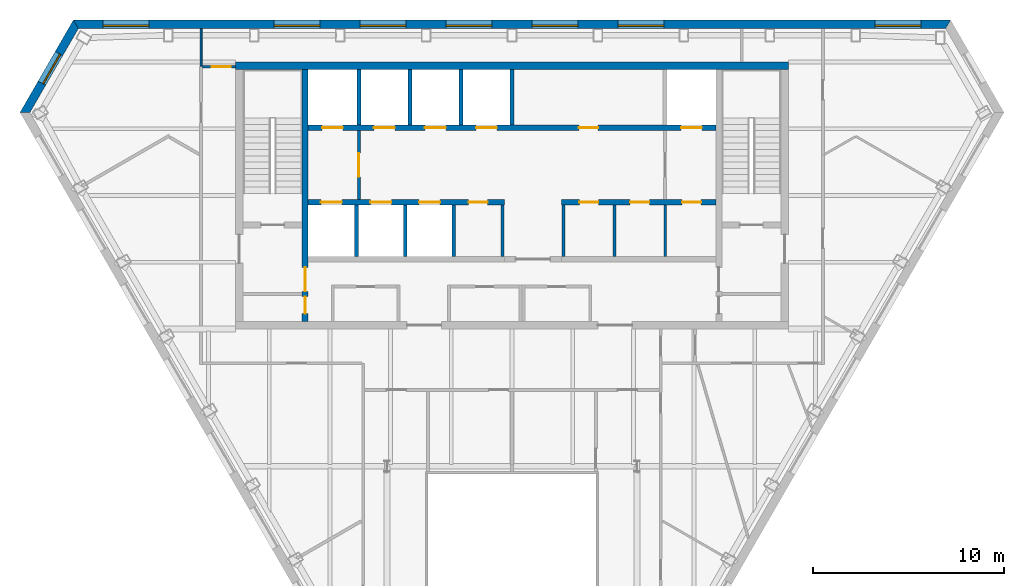
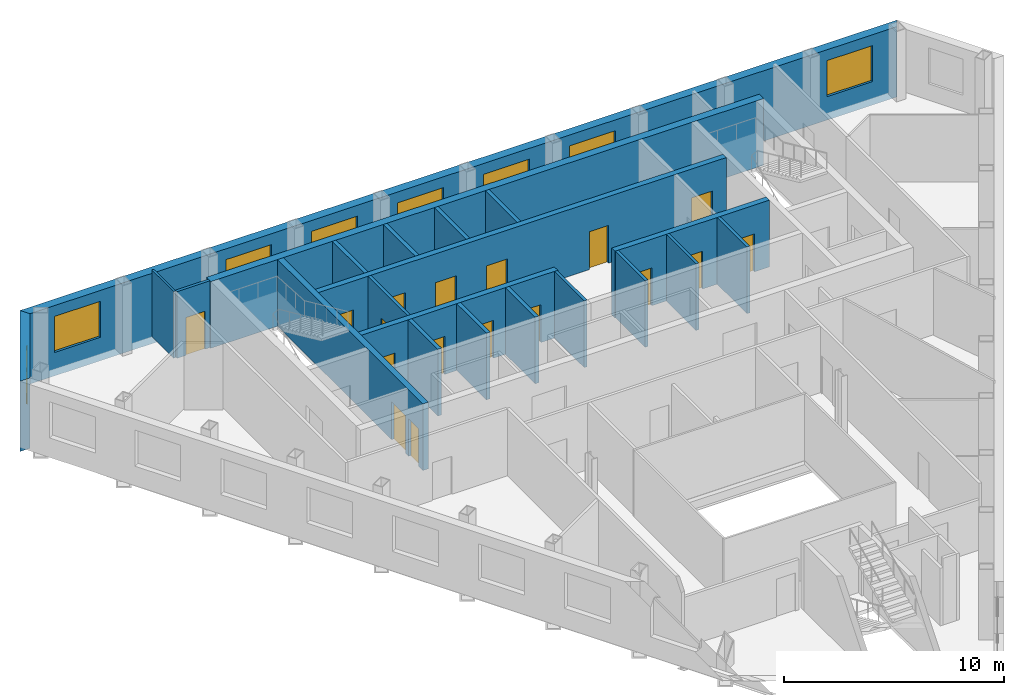
# One storey, part 6 of 10: 21 walls, 17 doors, 8 windows, 25 openings.
"""IFC4 building model written with IfcOpenShell, lengths in metres."""

from ifc_helpers import new_model, si_unit, direction, frame, frame_2d, origin, place, context, subcontext, project, spatial, polyline, rectangle, outline, extrude, material, layer, layer_set, type_object, element, fill, save


model = new_model("IFC4")

# Units and contexts
model_context = context("Model", 3, precision=1e-05, world=origin(), true_north=direction((0.0, 1.0)))
body_context = subcontext(model_context, "Body", "Model", "MODEL_VIEW")
ifc_project = project(units=[si_unit("LENGTHUNIT", "METRE"), si_unit("AREAUNIT", "SQUARE_METRE"), si_unit("VOLUMEUNIT", "CUBIC_METRE"), si_unit("PLANEANGLEUNIT", "RADIAN"), si_unit("MASSUNIT", "GRAM", prefix="KILO")], contexts=[model_context])

# Site, building, storey
site_placement = place(None, origin())
site = spatial("IfcSite", under=ifc_project, at=site_placement, CompositionType="ELEMENT")
building_placement = place(site_placement, origin())
building = spatial("IfcBuilding", under=site, at=building_placement, Name="Njiva Tower", CompositionType="ELEMENT")
storey_placement = place(building_placement, frame((0.0, 0.0, 268.8)))
storey = spatial("IfcBuildingStorey", under=building, at=storey_placement, Name="L61", CompositionType="ELEMENT", Elevation=268.8)

# Walls
ifc_material_1 = material(Name="Blockwork", Category="masonry")
ifc_layer_1 = layer(ifc_material_1, 0.15)
ifc_layer_set_1 = layer_set([ifc_layer_1], Name="Blockwork")
wall_type_1 = type_object("IfcWallType", Name="WT1 Compartment partition 150", PredefinedType="PARTITIONING", material=ifc_layer_set_1)
for number, where, z_axis, x_axis, name in (
    (1, (-0.5, 7.8, 0.0), (0.0, 0.0, 1.0), (0.0, 1.0, 0.0), "Partition CS4"),
    (2, (2.7, 7.8, 0.0), (0.0, 0.0, 1.0), (0.0, 1.0, 0.0), "Partition CS5"),
    (3, (5.3667, 7.8, 0.0), (0.0, 0.0, 1.0), (0.0, 1.0, 0.0), "Partition CS6"),
    (4, (8.0333, 7.8, 0.0), (0.0, 0.0, 1.0), (0.0, 1.0, 0.0), "Partition CS7"),
):
    element("IfcWall", number, at=place(storey_placement, frame(where, z_axis=z_axis, x_axis=x_axis)), inside=storey, type_object=wall_type_1, Name=name, PredefinedType="PARTITIONING", context=body_context, shape_type="SweptSolid", body=[
        extrude(rectangle(XDim=2.7, YDim=0.15, at=frame_2d((1.35, 0.0))), origin(), (0.0, 0.0, 1.0), 3.7),
    ])

# Wall, openings, doors
ifc_material_2 = material(Name="Concrete C40/50", Category="concrete")
ifc_layer_2 = layer(ifc_material_2, 0.3)
ifc_layer_set_2 = layer_set([ifc_layer_2], Name="Concrete C40/50")
wall_type_2 = type_object("IfcWallType", Name="WT10 Stair enclosure wall 300", PredefinedType="SHEAR", material=ifc_layer_set_2)
wall_1_placement = place(storey_placement, frame((-10.85, 4.4, 0.0), z_axis=(0.0, 0.0, 1.0), x_axis=(0.0, 1.0, 0.0)))
wall_1 = element("IfcWall", 5, at=wall_1_placement, inside=storey, type_object=wall_type_2, Name="Stair wall west inner", PredefinedType="SHEAR", context=body_context, shape_type="SweptSolid", body=[
    extrude(rectangle(XDim=13.2, YDim=0.3, at=frame_2d((6.6, 0.0))), origin(), (0.0, 0.0, 1.0), 3.7),
])
opening_1_placement = place(wall_1_placement, frame((1.575, 0.0, 0.0)))
opening_1 = element("IfcOpeningElement", 6, at=opening_1_placement, cuts=wall_1, Name="Opening S20-D916", PredefinedType="OPENING", context=body_context, shape_type="SweptSolid", body=[
    extrude(rectangle(XDim=1.25, YDim=2.1, at=frame_2d((0.625, 1.05))), frame((0.0, 0.16, 0.0), z_axis=(0.0, -1.0, 0.0), x_axis=(1.0, 0.0, 0.0)), (0.0, 0.0, 1.0), 0.32),
])
opening_2_placement = place(wall_1_placement, frame((0.4, 0.0, 0.0)))
opening_2 = element("IfcOpeningElement", 7, at=opening_2_placement, cuts=wall_1, Name="Opening S20-D918", PredefinedType="OPENING", context=body_context, shape_type="SweptSolid", body=[
    extrude(rectangle(XDim=0.9, YDim=2.1, at=frame_2d((0.45, 1.05))), frame((0.0, 0.16, 0.0), z_axis=(0.0, -1.0, 0.0), x_axis=(1.0, 0.0, 0.0)), (0.0, 0.0, 1.0), 0.32),
])
ifc_material_3 = material(Name="Steel door, painted", Category="steel")
door_type_1 = type_object("IfcDoorType", Name="D13 Steel door 900x2100", OperationType="SINGLE_SWING_LEFT", PredefinedType="DOOR", material=ifc_material_3)
door_1_placement = place(opening_2_placement, origin())
door_1 = element("IfcDoor", 8, at=door_1_placement, inside=storey, type_object=door_type_1, Name="Quiet room door", OperationType="SINGLE_SWING_RIGHT", OverallHeight=2.1, OverallWidth=0.9, PredefinedType="DOOR", context=body_context, shape_type="SweptSolid", body=[
    extrude(rectangle(XDim=0.9, YDim=2.1, at=frame_2d((0.45, 1.05))), frame((0.0, 0.025, 0.0), z_axis=(0.0, -1.0, 0.0), x_axis=(1.0, 0.0, 0.0)), (0.0, 0.0, 1.0), 0.05),
])
fill(opening_2, door_1)
ifc_material_4 = material(Name="Glazed steel fire door", Category="steel")
door_type_2 = type_object("IfcDoorType", Name="D8 Vestibule corridor door 1250x2100 glazed", OperationType="SINGLE_SWING_LEFT", PredefinedType="DOOR", material=ifc_material_4)
door_2_placement = place(opening_1_placement, origin())
door_2 = element("IfcDoor", 9, at=door_2_placement, inside=storey, type_object=door_type_2, Name="Stair vestibule corridor door", OperationType="SINGLE_SWING_LEFT", OverallHeight=2.1, OverallWidth=1.25, PredefinedType="DOOR", context=body_context, shape_type="SweptSolid", body=[
    extrude(rectangle(XDim=1.25, YDim=2.1, at=frame_2d((0.625, 1.05))), frame((0.0, 0.025, 0.0), z_axis=(0.0, -1.0, 0.0), x_axis=(1.0, 0.0, 0.0)), (0.0, 0.0, 1.0), 0.05),
])
fill(opening_1, door_2)

# Wall
ifc_material_5 = material(Name="Concrete C60/75", Category="concrete")
ifc_layer_3 = layer(ifc_material_5, 0.4)
ifc_layer_set_3 = layer_set([ifc_layer_3], Name="Concrete C60/75")
wall_type_3 = type_object("IfcWallType", Name="WT11 Core wall 400", PredefinedType="SHEAR", material=ifc_layer_set_3)
wall_2_placement = place(storey_placement, frame((-14.5, 17.8, 0.0), z_axis=(0.0, 0.0, 1.0), x_axis=(1.0, 0.0, 0.0)))
element("IfcWall", 10, at=wall_2_placement, inside=storey, type_object=wall_type_3, Name="Core wall north", PredefinedType="SHEAR", context=body_context, shape_type="SweptSolid", body=[
    extrude(rectangle(XDim=29.0, YDim=0.4, at=frame_2d((14.5, 0.0))), origin(), (0.0, 0.0, 1.0), 3.7),
])

# Wall, opening, door
ifc_layer_4 = layer(ifc_material_1, 0.15)
ifc_layer_set_4 = layer_set([ifc_layer_4], Name="Blockwork")
wall_type_4 = type_object("IfcWallType", Name="WT2 Lobby partition 150", PredefinedType="PARTITIONING", material=ifc_layer_set_4)
wall_3_placement = place(storey_placement, frame((-8.025, 10.8, 0.0), z_axis=(0.0, 0.0, 1.0), x_axis=(0.0, 1.0, 0.0)))
wall_3 = element("IfcWall", 11, at=wall_3_placement, inside=storey, type_object=wall_type_4, Name="Firefighting lobby wall A", PredefinedType="PARTITIONING", context=body_context, shape_type="SweptSolid", body=[
    extrude(rectangle(XDim=3.6, YDim=0.15, at=frame_2d((1.8, 0.0))), origin(), (0.0, 0.0, 1.0), 3.7),
])
opening_3_placement = place(wall_3_placement, frame((1.175, 0.0, 0.0)))
opening_3 = element("IfcOpeningElement", 12, at=opening_3_placement, cuts=wall_3, Name="Opening S20-D914", PredefinedType="OPENING", context=body_context, shape_type="SweptSolid", body=[
    extrude(rectangle(XDim=1.25, YDim=2.1, at=frame_2d((0.625, 1.05))), frame((0.0, 0.085, 0.0), z_axis=(0.0, -1.0, 0.0), x_axis=(1.0, 0.0, 0.0)), (0.0, 0.0, 1.0), 0.17),
])
door_3_placement = place(opening_3_placement, origin())
door_3 = element("IfcDoor", 13, at=door_3_placement, inside=storey, type_object=door_type_2, Name="Stair vestibule corridor door", OperationType="SINGLE_SWING_RIGHT", OverallHeight=2.1, OverallWidth=1.25, PredefinedType="DOOR", context=body_context, shape_type="SweptSolid", body=[
    extrude(rectangle(XDim=1.25, YDim=2.1, at=frame_2d((0.625, 1.05))), frame((0.0, 0.025, 0.0), z_axis=(0.0, -1.0, 0.0), x_axis=(1.0, 0.0, 0.0)), (0.0, 0.0, 1.0), 0.05),
])
fill(opening_3, door_3)

# Wall
ifc_material_6 = material(Name="Gypsum board on steel studs", Category="gypsum")
ifc_layer_5 = layer(ifc_material_6, 0.1)
ifc_layer_set_5 = layer_set([ifc_layer_5], Name="Gypsum board on steel studs")
wall_type_5 = type_object("IfcWallType", Name="WT20 Gypsum partition 100", PredefinedType="PARTITIONING", material=ifc_layer_set_5)
wall_4_placement = place(storey_placement, frame((-16.3, 17.762, 0.0), z_axis=(0.0, 0.0, 1.0), x_axis=(0.0, 1.0, 0.0)))
element("IfcWall", 14, at=wall_4_placement, inside=storey, type_object=wall_type_5, Name="Partition S20-P004", PredefinedType="PARTITIONING", context=body_context, shape_type="SweptSolid", body=[
    extrude(rectangle(XDim=1.988, YDim=0.1, at=frame_2d((0.994, 0.0))), origin(), (0.0, 0.0, 1.0), 3.7),
])

# Wall, opening, door
ifc_layer_6 = layer(ifc_material_6, 0.15)
ifc_layer_set_6 = layer_set([ifc_layer_6], Name="Gypsum board on steel studs")
wall_type_6 = type_object("IfcWallType", Name="WT21 Compartment wall 150", PredefinedType="PARTITIONING", material=ifc_layer_set_6)
wall_5_placement = place(storey_placement, frame((-16.225, 17.75, 0.0), z_axis=(0.0, 0.0, 1.0), x_axis=(1.0, 0.0, 0.0)))
wall_5 = element("IfcWall", 15, at=wall_5_placement, inside=storey, type_object=wall_type_6, Name="Partition S20-P006", PredefinedType="PARTITIONING", context=body_context, shape_type="SweptSolid", body=[
    extrude(rectangle(XDim=1.725, YDim=0.15, at=frame_2d((0.8625, 0.0))), origin(), (0.0, 0.0, 1.0), 3.7),
])
opening_4_placement = place(wall_5_placement, frame((0.471, 0.0, 0.0)))
opening_4 = element("IfcOpeningElement", 16, at=opening_4_placement, cuts=wall_5, Name="Opening S20-D003", PredefinedType="OPENING", context=body_context, shape_type="SweptSolid", body=[
    extrude(rectangle(XDim=1.0, YDim=2.1, at=frame_2d((0.5, 1.05))), frame((0.0, 0.085, 0.0), z_axis=(0.0, -1.0, 0.0), x_axis=(1.0, 0.0, 0.0)), (0.0, 0.0, 1.0), 0.17),
])
ifc_material_7 = material(Name="Steel fire door set", Category="steel")
door_type_3 = type_object("IfcDoorType", Name="D37 Fire door 1000x2100", OperationType="SINGLE_SWING_LEFT", PredefinedType="DOOR", material=ifc_material_7)
door_4_placement = place(opening_4_placement, origin())
door_4 = element("IfcDoor", 17, at=door_4_placement, inside=storey, type_object=door_type_3, Name="Door S20-D003", OperationType="SINGLE_SWING_LEFT", OverallHeight=2.1, OverallWidth=1.0, PredefinedType="DOOR", context=body_context, shape_type="SweptSolid", body=[
    extrude(rectangle(XDim=1.0, YDim=2.1, at=frame_2d((0.5, 1.05))), frame((0.0, 0.025, 0.0), z_axis=(0.0, -1.0, 0.0), x_axis=(1.0, 0.0, 0.0)), (0.0, 0.0, 1.0), 0.05),
])
fill(opening_4, door_4)

# Walls
ifc_layer_7 = layer(ifc_material_2, 0.2)
ifc_layer_set_7 = layer_set([ifc_layer_7], Name="Concrete C40/50")
wall_type_7 = type_object("IfcWallType", Name="WT6 Lift shaft wall 200", PredefinedType="SHEAR", material=ifc_layer_set_7)
for number, where, z_axis, x_axis, name in (
    (18, (-8.025, 14.7, 0.0), (0.0, 0.0, 1.0), (0.0, 1.0, 0.0), "Shaft wall CN1"),
    (19, (-5.35, 14.7, 0.0), (0.0, 0.0, 1.0), (0.0, 1.0, 0.0), "Shaft wall CN2"),
    (20, (-2.675, 14.7, 0.0), (0.0, 0.0, 1.0), (0.0, 1.0, 0.0), "Shaft wall CN3"),
    (21, (0.0, 14.7, 0.0), (0.0, 0.0, 1.0), (0.0, 1.0, 0.0), "Shaft wall CN4"),
):
    element("IfcWall", number, at=place(storey_placement, frame(where, z_axis=z_axis, x_axis=x_axis)), inside=storey, type_object=wall_type_7, Name=name, PredefinedType="SHEAR", context=body_context, shape_type="SweptSolid", body=[
        extrude(rectangle(XDim=2.9, YDim=0.2, at=frame_2d((1.45, 0.0))), origin(), (0.0, 0.0, 1.0), 3.7),
    ])
for number, where, z_axis, x_axis, name in (
    (22, (-8.15, 7.8, 0.0), (0.0, 0.0, 1.0), (0.0, 1.0, 0.0), "Shaft wall CS1"),
    (23, (-5.6, 7.8, 0.0), (0.0, 0.0, 1.0), (0.0, 1.0, 0.0), "Shaft wall CS2"),
    (24, (-3.05, 7.8, 0.0), (0.0, 0.0, 1.0), (0.0, 1.0, 0.0), "Shaft wall CS3"),
):
    element("IfcWall", number, at=place(storey_placement, frame(where, z_axis=z_axis, x_axis=x_axis)), inside=storey, type_object=wall_type_7, Name=name, PredefinedType="SHEAR", context=body_context, shape_type="SweptSolid", body=[
        extrude(rectangle(XDim=2.7, YDim=0.2, at=frame_2d((1.35, 0.0))), origin(), (0.0, 0.0, 1.0), 3.7),
    ])

# Wall, openings, doors
ifc_layer_8 = layer(ifc_material_2, 0.3)
ifc_layer_set_8 = layer_set([ifc_layer_8], Name="Concrete C40/50")
wall_type_8 = type_object("IfcWallType", Name="WT7 Lift shaft wall 300", PredefinedType="SHEAR", material=ifc_layer_set_8)
wall_6_placement = place(storey_placement, frame((-10.7, 14.55, 0.0), z_axis=(0.0, 0.0, 1.0), x_axis=(1.0, 0.0, 0.0)))
wall_6 = element("IfcWall", 25, at=wall_6_placement, inside=storey, type_object=wall_type_8, Name="Shaft wall north row lobby side", PredefinedType="SHEAR", context=body_context, shape_type="SweptSolid", body=[
    extrude(rectangle(XDim=21.4, YDim=0.3, at=frame_2d((10.7, 0.0))), origin(), (0.0, 0.0, 1.0), 3.7),
])
opening_5_placement = place(wall_6_placement, frame((0.7375, 0.0, 0.0)))
opening_5 = element("IfcOpeningElement", 26, at=opening_5_placement, cuts=wall_6, Name="Opening S20-D901", PredefinedType="OPENING", context=body_context, shape_type="SweptSolid", body=[
    extrude(rectangle(XDim=1.1, YDim=2.1, at=frame_2d((0.55, 1.05))), frame((0.0, 0.16, 0.0), z_axis=(0.0, -1.0, 0.0), x_axis=(1.0, 0.0, 0.0)), (0.0, 0.0, 1.0), 0.32),
])
opening_6_placement = place(wall_6_placement, frame((3.4625, 0.0, 0.0)))
opening_6 = element("IfcOpeningElement", 27, at=opening_6_placement, cuts=wall_6, Name="Opening S20-D902", PredefinedType="OPENING", context=body_context, shape_type="SweptSolid", body=[
    extrude(rectangle(XDim=1.1, YDim=2.1, at=frame_2d((0.55, 1.05))), frame((0.0, 0.16, 0.0), z_axis=(0.0, -1.0, 0.0), x_axis=(1.0, 0.0, 0.0)), (0.0, 0.0, 1.0), 0.32),
])
opening_7_placement = place(wall_6_placement, frame((6.1375, 0.0, 0.0)))
opening_7 = element("IfcOpeningElement", 28, at=opening_7_placement, cuts=wall_6, Name="Opening S20-D903", PredefinedType="OPENING", context=body_context, shape_type="SweptSolid", body=[
    extrude(rectangle(XDim=1.1, YDim=2.1, at=frame_2d((0.55, 1.05))), frame((0.0, 0.16, 0.0), z_axis=(0.0, -1.0, 0.0), x_axis=(1.0, 0.0, 0.0)), (0.0, 0.0, 1.0), 0.32),
])
opening_8_placement = place(wall_6_placement, frame((8.8125, 0.0, 0.0)))
opening_8 = element("IfcOpeningElement", 29, at=opening_8_placement, cuts=wall_6, Name="Opening S20-D904", PredefinedType="OPENING", context=body_context, shape_type="SweptSolid", body=[
    extrude(rectangle(XDim=1.1, YDim=2.1, at=frame_2d((0.55, 1.05))), frame((0.0, 0.16, 0.0), z_axis=(0.0, -1.0, 0.0), x_axis=(1.0, 0.0, 0.0)), (0.0, 0.0, 1.0), 0.32),
])
opening_9_placement = place(wall_6_placement, frame((19.5625, 0.0, 0.0)))
opening_9 = element("IfcOpeningElement", 30, at=opening_9_placement, cuts=wall_6, Name="Opening S20-D905", PredefinedType="OPENING", context=body_context, shape_type="SweptSolid", body=[
    extrude(rectangle(XDim=1.1, YDim=2.1, at=frame_2d((0.55, 1.05))), frame((0.0, 0.16, 0.0), z_axis=(0.0, -1.0, 0.0), x_axis=(1.0, 0.0, 0.0)), (0.0, 0.0, 1.0), 0.32),
])
opening_10_placement = place(wall_6_placement, frame((14.2125, 0.0, 0.0)))
opening_10 = element("IfcOpeningElement", 31, at=opening_10_placement, cuts=wall_6, Name="Opening S20-D909", PredefinedType="OPENING", context=body_context, shape_type="SweptSolid", body=[
    extrude(rectangle(XDim=1.0, YDim=2.1, at=frame_2d((0.5, 1.05))), frame((0.0, 0.16, 0.0), z_axis=(0.0, -1.0, 0.0), x_axis=(1.0, 0.0, 0.0)), (0.0, 0.0, 1.0), 0.32),
])
door_type_4 = type_object("IfcDoorType", Name="D5 Steel door 1000x2100", OperationType="SINGLE_SWING_LEFT", PredefinedType="DOOR", material=ifc_material_3)
door_5_placement = place(opening_10_placement, origin())
door_5 = element("IfcDoor", 32, at=door_5_placement, inside=storey, type_object=door_type_4, Name="Prayer room door", OperationType="SINGLE_SWING_LEFT", OverallHeight=2.1, OverallWidth=1.0, PredefinedType="DOOR", context=body_context, shape_type="SweptSolid", body=[
    extrude(rectangle(XDim=1.0, YDim=2.1, at=frame_2d((0.5, 1.05))), frame((0.0, 0.025, 0.0), z_axis=(0.0, -1.0, 0.0), x_axis=(1.0, 0.0, 0.0)), (0.0, 0.0, 1.0), 0.05),
])
fill(opening_10, door_5)
ifc_material_8 = material(Name="Stainless steel sliding door", Category="steel")
door_type_5 = type_object("IfcDoorType", Name="LD Lift landing door 1100x2100", OperationType="SLIDING_TO_LEFT", PredefinedType="DOOR", material=ifc_material_8)
door_6_placement = place(opening_5_placement, origin())
door_6 = element("IfcDoor", 33, at=door_6_placement, inside=storey, type_object=door_type_5, Name="Lift landing door FF1", OperationType="SLIDING_TO_LEFT", OverallHeight=2.1, OverallWidth=1.1, PredefinedType="DOOR", context=body_context, shape_type="SweptSolid", body=[
    extrude(rectangle(XDim=1.1, YDim=2.1, at=frame_2d((0.55, 1.05))), frame((0.0, 0.025, 0.0), z_axis=(0.0, -1.0, 0.0), x_axis=(1.0, 0.0, 0.0)), (0.0, 0.0, 1.0), 0.05),
])
fill(opening_5, door_6)
door_7_placement = place(opening_6_placement, origin())
door_7 = element("IfcDoor", 34, at=door_7_placement, inside=storey, type_object=door_type_5, Name="Lift landing door HB4", OperationType="SLIDING_TO_LEFT", OverallHeight=2.1, OverallWidth=1.1, PredefinedType="DOOR", context=body_context, shape_type="SweptSolid", body=[
    extrude(rectangle(XDim=1.1, YDim=2.1, at=frame_2d((0.55, 1.05))), frame((0.0, 0.025, 0.0), z_axis=(0.0, -1.0, 0.0), x_axis=(1.0, 0.0, 0.0)), (0.0, 0.0, 1.0), 0.05),
])
fill(opening_6, door_7)
door_8_placement = place(opening_7_placement, origin())
door_8 = element("IfcDoor", 35, at=door_8_placement, inside=storey, type_object=door_type_5, Name="Lift landing door HB5", OperationType="SLIDING_TO_LEFT", OverallHeight=2.1, OverallWidth=1.1, PredefinedType="DOOR", context=body_context, shape_type="SweptSolid", body=[
    extrude(rectangle(XDim=1.1, YDim=2.1, at=frame_2d((0.55, 1.05))), frame((0.0, 0.025, 0.0), z_axis=(0.0, -1.0, 0.0), x_axis=(1.0, 0.0, 0.0)), (0.0, 0.0, 1.0), 0.05),
])
fill(opening_7, door_8)
door_9_placement = place(opening_8_placement, origin())
door_9 = element("IfcDoor", 36, at=door_9_placement, inside=storey, type_object=door_type_5, Name="Lift landing door HB6", OperationType="SLIDING_TO_LEFT", OverallHeight=2.1, OverallWidth=1.1, PredefinedType="DOOR", context=body_context, shape_type="SweptSolid", body=[
    extrude(rectangle(XDim=1.1, YDim=2.1, at=frame_2d((0.55, 1.05))), frame((0.0, 0.025, 0.0), z_axis=(0.0, -1.0, 0.0), x_axis=(1.0, 0.0, 0.0)), (0.0, 0.0, 1.0), 0.05),
])
fill(opening_8, door_9)
door_10_placement = place(opening_9_placement, origin())
door_10 = element("IfcDoor", 37, at=door_10_placement, inside=storey, type_object=door_type_5, Name="Lift landing door FF2", OperationType="SLIDING_TO_LEFT", OverallHeight=2.1, OverallWidth=1.1, PredefinedType="DOOR", context=body_context, shape_type="SweptSolid", body=[
    extrude(rectangle(XDim=1.1, YDim=2.1, at=frame_2d((0.55, 1.05))), frame((0.0, 0.025, 0.0), z_axis=(0.0, -1.0, 0.0), x_axis=(1.0, 0.0, 0.0)), (0.0, 0.0, 1.0), 0.05),
])
fill(opening_9, door_10)

wall_7_placement = place(storey_placement, frame((-10.7, 10.65, 0.0), z_axis=(0.0, 0.0, 1.0), x_axis=(1.0, 0.0, 0.0)))
wall_7 = element("IfcWall", 38, at=wall_7_placement, inside=storey, type_object=wall_type_8, Name="Shaft wall south row lobby side W", PredefinedType="SHEAR", context=body_context, shape_type="SweptSolid", body=[
    extrude(rectangle(XDim=10.3, YDim=0.3, at=frame_2d((5.15, 0.0))), origin(), (0.0, 0.0, 1.0), 3.7),
])
opening_11_placement = place(wall_7_placement, frame((0.675, 0.0, 0.0)))
opening_11 = element("IfcOpeningElement", 39, at=opening_11_placement, cuts=wall_7, Name="Opening S20-D906", PredefinedType="OPENING", context=body_context, shape_type="SweptSolid", body=[
    extrude(rectangle(XDim=1.1, YDim=2.1, at=frame_2d((0.55, 1.05))), frame((0.0, 0.16, 0.0), z_axis=(0.0, -1.0, 0.0), x_axis=(1.0, 0.0, 0.0)), (0.0, 0.0, 1.0), 0.32),
])
opening_12_placement = place(wall_7_placement, frame((3.275, 0.0, 0.0)))
opening_12 = element("IfcOpeningElement", 40, at=opening_12_placement, cuts=wall_7, Name="Opening S20-D907", PredefinedType="OPENING", context=body_context, shape_type="SweptSolid", body=[
    extrude(rectangle(XDim=1.1, YDim=2.1, at=frame_2d((0.55, 1.05))), frame((0.0, 0.16, 0.0), z_axis=(0.0, -1.0, 0.0), x_axis=(1.0, 0.0, 0.0)), (0.0, 0.0, 1.0), 0.32),
])
opening_13_placement = place(wall_7_placement, frame((5.825, 0.0, 0.0)))
opening_13 = element("IfcOpeningElement", 41, at=opening_13_placement, cuts=wall_7, Name="Opening S20-D908", PredefinedType="OPENING", context=body_context, shape_type="SweptSolid", body=[
    extrude(rectangle(XDim=1.1, YDim=2.1, at=frame_2d((0.55, 1.05))), frame((0.0, 0.16, 0.0), z_axis=(0.0, -1.0, 0.0), x_axis=(1.0, 0.0, 0.0)), (0.0, 0.0, 1.0), 0.32),
])
opening_14_placement = place(wall_7_placement, frame((8.425, 0.0, 0.0)))
opening_14 = element("IfcOpeningElement", 42, at=opening_14_placement, cuts=wall_7, Name="Opening S20-D910", PredefinedType="OPENING", context=body_context, shape_type="SweptSolid", body=[
    extrude(rectangle(XDim=1.0, YDim=2.1, at=frame_2d((0.5, 1.05))), frame((0.0, 0.16, 0.0), z_axis=(0.0, -1.0, 0.0), x_axis=(1.0, 0.0, 0.0)), (0.0, 0.0, 1.0), 0.32),
])
door_11_placement = place(opening_14_placement, origin())
door_11 = element("IfcDoor", 43, at=door_11_placement, inside=storey, type_object=door_type_4, Name="Business centre door", OperationType="SINGLE_SWING_RIGHT", OverallHeight=2.1, OverallWidth=1.0, PredefinedType="DOOR", context=body_context, shape_type="SweptSolid", body=[
    extrude(rectangle(XDim=1.0, YDim=2.1, at=frame_2d((0.5, 1.05))), frame((0.0, 0.025, 0.0), z_axis=(0.0, -1.0, 0.0), x_axis=(1.0, 0.0, 0.0)), (0.0, 0.0, 1.0), 0.05),
])
fill(opening_14, door_11)
door_12_placement = place(opening_11_placement, origin())
door_12 = element("IfcDoor", 44, at=door_12_placement, inside=storey, type_object=door_type_5, Name="Lift landing door HB1", OperationType="SLIDING_TO_LEFT", OverallHeight=2.1, OverallWidth=1.1, PredefinedType="DOOR", context=body_context, shape_type="SweptSolid", body=[
    extrude(rectangle(XDim=1.1, YDim=2.1, at=frame_2d((0.55, 1.05))), frame((0.0, 0.025, 0.0), z_axis=(0.0, -1.0, 0.0), x_axis=(1.0, 0.0, 0.0)), (0.0, 0.0, 1.0), 0.05),
])
fill(opening_11, door_12)
door_13_placement = place(opening_12_placement, origin())
door_13 = element("IfcDoor", 45, at=door_13_placement, inside=storey, type_object=door_type_5, Name="Lift landing door HB2", OperationType="SLIDING_TO_LEFT", OverallHeight=2.1, OverallWidth=1.1, PredefinedType="DOOR", context=body_context, shape_type="SweptSolid", body=[
    extrude(rectangle(XDim=1.1, YDim=2.1, at=frame_2d((0.55, 1.05))), frame((0.0, 0.025, 0.0), z_axis=(0.0, -1.0, 0.0), x_axis=(1.0, 0.0, 0.0)), (0.0, 0.0, 1.0), 0.05),
])
fill(opening_12, door_13)
door_14_placement = place(opening_13_placement, origin())
door_14 = element("IfcDoor", 46, at=door_14_placement, inside=storey, type_object=door_type_5, Name="Lift landing door HB3", OperationType="SLIDING_TO_LEFT", OverallHeight=2.1, OverallWidth=1.1, PredefinedType="DOOR", context=body_context, shape_type="SweptSolid", body=[
    extrude(rectangle(XDim=1.1, YDim=2.1, at=frame_2d((0.55, 1.05))), frame((0.0, 0.025, 0.0), z_axis=(0.0, -1.0, 0.0), x_axis=(1.0, 0.0, 0.0)), (0.0, 0.0, 1.0), 0.05),
])
fill(opening_13, door_14)

wall_8_placement = place(storey_placement, frame((2.6, 10.65, 0.0), z_axis=(0.0, 0.0, 1.0), x_axis=(1.0, 0.0, 0.0)))
wall_8 = element("IfcWall", 47, at=wall_8_placement, inside=storey, type_object=wall_type_8, Name="Shaft wall south row lobby side E", PredefinedType="SHEAR", context=body_context, shape_type="SweptSolid", body=[
    extrude(rectangle(XDim=8.1, YDim=0.3, at=frame_2d((4.05, 0.0))), origin(), (0.0, 0.0, 1.0), 3.7),
])
opening_15_placement = place(wall_8_placement, frame((0.9334, 0.0, 0.0)))
opening_15 = element("IfcOpeningElement", 48, at=opening_15_placement, cuts=wall_8, Name="Opening S20-D911", PredefinedType="OPENING", context=body_context, shape_type="SweptSolid", body=[
    extrude(rectangle(XDim=1.0, YDim=2.1, at=frame_2d((0.5, 1.05))), frame((0.0, 0.16, 0.0), z_axis=(0.0, -1.0, 0.0), x_axis=(1.0, 0.0, 0.0)), (0.0, 0.0, 1.0), 0.32),
])
opening_16_placement = place(wall_8_placement, frame((3.6, 0.0, 0.0)))
opening_16 = element("IfcOpeningElement", 49, at=opening_16_placement, cuts=wall_8, Name="Opening S20-D912", PredefinedType="OPENING", context=body_context, shape_type="SweptSolid", body=[
    extrude(rectangle(XDim=1.0, YDim=2.1, at=frame_2d((0.5, 1.05))), frame((0.0, 0.16, 0.0), z_axis=(0.0, -1.0, 0.0), x_axis=(1.0, 0.0, 0.0)), (0.0, 0.0, 1.0), 0.32),
])
opening_17_placement = place(wall_8_placement, frame((6.3167, 0.0, 0.0)))
opening_17 = element("IfcOpeningElement", 50, at=opening_17_placement, cuts=wall_8, Name="Opening S20-D913", PredefinedType="OPENING", context=body_context, shape_type="SweptSolid", body=[
    extrude(rectangle(XDim=1.0, YDim=2.1, at=frame_2d((0.5, 1.05))), frame((0.0, 0.16, 0.0), z_axis=(0.0, -1.0, 0.0), x_axis=(1.0, 0.0, 0.0)), (0.0, 0.0, 1.0), 0.32),
])
door_15_placement = place(opening_15_placement, origin())
door_15 = element("IfcDoor", 51, at=door_15_placement, inside=storey, type_object=door_type_4, Name="Meeting room door", OperationType="SINGLE_SWING_LEFT", OverallHeight=2.1, OverallWidth=1.0, PredefinedType="DOOR", context=body_context, shape_type="SweptSolid", body=[
    extrude(rectangle(XDim=1.0, YDim=2.1, at=frame_2d((0.5, 1.05))), frame((0.0, 0.025, 0.0), z_axis=(0.0, -1.0, 0.0), x_axis=(1.0, 0.0, 0.0)), (0.0, 0.0, 1.0), 0.05),
])
fill(opening_15, door_15)
door_16_placement = place(opening_16_placement, origin())
door_16 = element("IfcDoor", 52, at=door_16_placement, inside=storey, type_object=door_type_4, Name="Breakout room door", OperationType="SINGLE_SWING_RIGHT", OverallHeight=2.1, OverallWidth=1.0, PredefinedType="DOOR", context=body_context, shape_type="SweptSolid", body=[
    extrude(rectangle(XDim=1.0, YDim=2.1, at=frame_2d((0.5, 1.05))), frame((0.0, 0.025, 0.0), z_axis=(0.0, -1.0, 0.0), x_axis=(1.0, 0.0, 0.0)), (0.0, 0.0, 1.0), 0.05),
])
fill(opening_16, door_16)
door_17_placement = place(opening_17_placement, origin())
door_17 = element("IfcDoor", 53, at=door_17_placement, inside=storey, type_object=door_type_4, Name="Ventilation plant room door", OperationType="SINGLE_SWING_RIGHT", OverallHeight=2.1, OverallWidth=1.0, PredefinedType="DOOR", context=body_context, shape_type="SweptSolid", body=[
    extrude(rectangle(XDim=1.0, YDim=2.1, at=frame_2d((0.5, 1.05))), frame((0.0, 0.025, 0.0), z_axis=(0.0, -1.0, 0.0), x_axis=(1.0, 0.0, 0.0)), (0.0, 0.0, 1.0), 0.05),
])
fill(opening_17, door_17)

# Wall, openings, windows
ifc_material_9 = material(Name="Brick masonry", Category="masonry")
ifc_layer_9 = layer(ifc_material_9, 0.45)
ifc_layer_set_9 = layer_set([ifc_layer_9], Name="Brick masonry")
wall_type_9 = type_object("IfcWallType", Name="WT90 Brick pier and spandrel wall 450", PredefinedType="SOLIDWALL", material=ifc_layer_set_9)
wall_9_placement = place(storey_placement, frame((22.8701, 19.975, -0.4), z_axis=(0.0, 0.0, 1.0), x_axis=(-1.0, 0.0, 0.0)))
wall_9 = element("IfcWall", 54, at=wall_9_placement, inside=storey, type_object=wall_type_9, Name="Facade wall N", PredefinedType="SOLIDWALL", context=body_context, shape_type="SweptSolid", body=[
    extrude(outline(polyline([(-0.1299, -0.225), (45.8701, -0.225), (45.6103, 0.225), (0.1299, 0.225), (-0.1299, -0.225)])), origin(), (0.0, 0.0, 1.0), 3.9),
])
opening_18_placement = place(wall_9_placement, frame((1.4242, 0.0, 1.3)))
opening_18 = element("IfcOpeningElement", 55, at=opening_18_placement, cuts=wall_9, Name="Opening S20-W01", PredefinedType="OPENING", context=body_context, shape_type="SweptSolid", body=[
    extrude(rectangle(XDim=2.4, YDim=2.0, at=frame_2d((1.2, 1.0))), frame((0.0, 0.235, 0.0), z_axis=(0.0, -1.0, 0.0), x_axis=(1.0, 0.0, 0.0)), (0.0, 0.0, 1.0), 0.47),
])
opening_19_placement = place(wall_9_placement, frame((14.9087, 0.0, 1.3)))
opening_19 = element("IfcOpeningElement", 56, at=opening_19_placement, cuts=wall_9, Name="Opening S20-W02", PredefinedType="OPENING", context=body_context, shape_type="SweptSolid", body=[
    extrude(rectangle(XDim=2.4, YDim=2.0, at=frame_2d((1.2, 1.0))), frame((0.0, 0.235, 0.0), z_axis=(0.0, -1.0, 0.0), x_axis=(1.0, 0.0, 0.0)), (0.0, 0.0, 1.0), 0.47),
])
opening_20_placement = place(wall_9_placement, frame((19.4163, 0.0, 1.3)))
opening_20 = element("IfcOpeningElement", 57, at=opening_20_placement, cuts=wall_9, Name="Opening S20-W03", PredefinedType="OPENING", context=body_context, shape_type="SweptSolid", body=[
    extrude(rectangle(XDim=2.4, YDim=2.0, at=frame_2d((1.2, 1.0))), frame((0.0, 0.235, 0.0), z_axis=(0.0, -1.0, 0.0), x_axis=(1.0, 0.0, 0.0)), (0.0, 0.0, 1.0), 0.47),
])
opening_21_placement = place(wall_9_placement, frame((23.9239, 0.0, 1.3)))
opening_21 = element("IfcOpeningElement", 58, at=opening_21_placement, cuts=wall_9, Name="Opening S20-W04", PredefinedType="OPENING", context=body_context, shape_type="SweptSolid", body=[
    extrude(rectangle(XDim=2.4, YDim=2.0, at=frame_2d((1.2, 1.0))), frame((0.0, 0.235, 0.0), z_axis=(0.0, -1.0, 0.0), x_axis=(1.0, 0.0, 0.0)), (0.0, 0.0, 1.0), 0.47),
])
opening_22_placement = place(wall_9_placement, frame((28.4315, 0.0, 1.3)))
opening_22 = element("IfcOpeningElement", 59, at=opening_22_placement, cuts=wall_9, Name="Opening S20-W05", PredefinedType="OPENING", context=body_context, shape_type="SweptSolid", body=[
    extrude(rectangle(XDim=2.4, YDim=2.0, at=frame_2d((1.2, 1.0))), frame((0.0, 0.235, 0.0), z_axis=(0.0, -1.0, 0.0), x_axis=(1.0, 0.0, 0.0)), (0.0, 0.0, 1.0), 0.47),
])
opening_23_placement = place(wall_9_placement, frame((32.9391, 0.0, 1.3)))
opening_23 = element("IfcOpeningElement", 60, at=opening_23_placement, cuts=wall_9, Name="Opening S20-W06", PredefinedType="OPENING", context=body_context, shape_type="SweptSolid", body=[
    extrude(rectangle(XDim=2.4, YDim=2.0, at=frame_2d((1.2, 1.0))), frame((0.0, 0.235, 0.0), z_axis=(0.0, -1.0, 0.0), x_axis=(1.0, 0.0, 0.0)), (0.0, 0.0, 1.0), 0.47),
])
opening_24_placement = place(wall_9_placement, frame((41.916, 0.0, 1.3)))
opening_24 = element("IfcOpeningElement", 61, at=opening_24_placement, cuts=wall_9, Name="Opening S20-W07", PredefinedType="OPENING", context=body_context, shape_type="SweptSolid", body=[
    extrude(rectangle(XDim=2.4, YDim=2.0, at=frame_2d((1.2, 1.0))), frame((0.0, 0.235, 0.0), z_axis=(0.0, -1.0, 0.0), x_axis=(1.0, 0.0, 0.0)), (0.0, 0.0, 1.0), 0.47),
])
ifc_material_10 = material(Name="Clear glazing in aluminium frame", Category="aluminium")
window_type_1 = type_object("IfcWindowType", Name="W90 Deep-set window 2400x2000", PartitioningType="SINGLE_PANEL", PredefinedType="WINDOW", material=ifc_material_10)
window_1_placement = place(opening_18_placement, origin())
window_1 = element("IfcWindow", 62, at=window_1_placement, inside=storey, type_object=window_type_1, Name="Window", OverallHeight=2.0, OverallWidth=2.4, PartitioningType="SINGLE_PANEL", PredefinedType="WINDOW", context=body_context, shape_type="SweptSolid", body=[
    extrude(rectangle(XDim=2.4, YDim=2.0, at=frame_2d((1.2, 1.0))), frame((0.0, 0.105, 0.0), z_axis=(0.0, -1.0, 0.0), x_axis=(1.0, 0.0, 0.0)), (0.0, 0.0, 1.0), 0.06),
])
fill(opening_18, window_1)
window_2_placement = place(opening_19_placement, origin())
window_2 = element("IfcWindow", 63, at=window_2_placement, inside=storey, type_object=window_type_1, Name="Window", OverallHeight=2.0, OverallWidth=2.4, PartitioningType="SINGLE_PANEL", PredefinedType="WINDOW", context=body_context, shape_type="SweptSolid", body=[
    extrude(rectangle(XDim=2.4, YDim=2.0, at=frame_2d((1.2, 1.0))), frame((0.0, 0.105, 0.0), z_axis=(0.0, -1.0, 0.0), x_axis=(1.0, 0.0, 0.0)), (0.0, 0.0, 1.0), 0.06),
])
fill(opening_19, window_2)
window_3_placement = place(opening_20_placement, origin())
window_3 = element("IfcWindow", 64, at=window_3_placement, inside=storey, type_object=window_type_1, Name="Window", OverallHeight=2.0, OverallWidth=2.4, PartitioningType="SINGLE_PANEL", PredefinedType="WINDOW", context=body_context, shape_type="SweptSolid", body=[
    extrude(rectangle(XDim=2.4, YDim=2.0, at=frame_2d((1.2, 1.0))), frame((0.0, 0.105, 0.0), z_axis=(0.0, -1.0, 0.0), x_axis=(1.0, 0.0, 0.0)), (0.0, 0.0, 1.0), 0.06),
])
fill(opening_20, window_3)
window_4_placement = place(opening_21_placement, origin())
window_4 = element("IfcWindow", 65, at=window_4_placement, inside=storey, type_object=window_type_1, Name="Window", OverallHeight=2.0, OverallWidth=2.4, PartitioningType="SINGLE_PANEL", PredefinedType="WINDOW", context=body_context, shape_type="SweptSolid", body=[
    extrude(rectangle(XDim=2.4, YDim=2.0, at=frame_2d((1.2, 1.0))), frame((0.0, 0.105, 0.0), z_axis=(0.0, -1.0, 0.0), x_axis=(1.0, 0.0, 0.0)), (0.0, 0.0, 1.0), 0.06),
])
fill(opening_21, window_4)
window_5_placement = place(opening_22_placement, origin())
window_5 = element("IfcWindow", 66, at=window_5_placement, inside=storey, type_object=window_type_1, Name="Window", OverallHeight=2.0, OverallWidth=2.4, PartitioningType="SINGLE_PANEL", PredefinedType="WINDOW", context=body_context, shape_type="SweptSolid", body=[
    extrude(rectangle(XDim=2.4, YDim=2.0, at=frame_2d((1.2, 1.0))), frame((0.0, 0.105, 0.0), z_axis=(0.0, -1.0, 0.0), x_axis=(1.0, 0.0, 0.0)), (0.0, 0.0, 1.0), 0.06),
])
fill(opening_22, window_5)
window_6_placement = place(opening_23_placement, origin())
window_6 = element("IfcWindow", 67, at=window_6_placement, inside=storey, type_object=window_type_1, Name="Window", OverallHeight=2.0, OverallWidth=2.4, PartitioningType="SINGLE_PANEL", PredefinedType="WINDOW", context=body_context, shape_type="SweptSolid", body=[
    extrude(rectangle(XDim=2.4, YDim=2.0, at=frame_2d((1.2, 1.0))), frame((0.0, 0.105, 0.0), z_axis=(0.0, -1.0, 0.0), x_axis=(1.0, 0.0, 0.0)), (0.0, 0.0, 1.0), 0.06),
])
fill(opening_23, window_6)
window_7_placement = place(opening_24_placement, origin())
window_7 = element("IfcWindow", 68, at=window_7_placement, inside=storey, type_object=window_type_1, Name="Window", OverallHeight=2.0, OverallWidth=2.4, PartitioningType="SINGLE_PANEL", PredefinedType="WINDOW", context=body_context, shape_type="SweptSolid", body=[
    extrude(rectangle(XDim=2.4, YDim=2.0, at=frame_2d((1.2, 1.0))), frame((0.0, 0.105, 0.0), z_axis=(0.0, -1.0, 0.0), x_axis=(1.0, 0.0, 0.0)), (0.0, 0.0, 1.0), 0.06),
])
fill(opening_24, window_7)

# Wall, opening, window
ifc_material_11 = material(Name="Brick masonry, buff", Category="masonry")
ifc_layer_10 = layer(ifc_material_11, 0.45)
ifc_layer_set_10 = layer_set([ifc_layer_10], Name="Brick masonry, buff")
wall_type_10 = type_object("IfcWallType", Name="WT94 Brick pier and spandrel wall 450, buff", PredefinedType="SOLIDWALL", material=ifc_layer_set_10)
wall_10_placement = place(storey_placement, frame((-22.8701, 19.975, -0.4), z_axis=(0.0, 0.0, 1.0), x_axis=(-0.500003961967, -0.866023116329, 0.0)))
wall_10 = element("IfcWall", 69, at=wall_10_placement, inside=storey, type_object=wall_type_10, Name="Facade wall NW", PredefinedType="SOLIDWALL", context=body_context, shape_type="SweptSolid", body=[
    extrude(outline(polyline([(-0.1299, -0.225), (5.4701, -0.225), (5.2103, 0.225), (0.1299, 0.225), (-0.1299, -0.225)])), origin(), (0.0, 0.0, 1.0), 3.9),
])
opening_25_placement = place(wall_10_placement, frame((1.7701, 0.0, 1.3)))
opening_25 = element("IfcOpeningElement", 70, at=opening_25_placement, cuts=wall_10, Name="Opening S20-W08", PredefinedType="OPENING", context=body_context, shape_type="SweptSolid", body=[
    extrude(rectangle(XDim=1.8, YDim=2.0, at=frame_2d((0.9, 1.0))), frame((0.0, 0.235, 0.0), z_axis=(0.0, -1.0, 0.0), x_axis=(1.0, 0.0, 0.0)), (0.0, 0.0, 1.0), 0.47),
])
window_type_2 = type_object("IfcWindowType", Name="W94 Deep-set window 1800x2000", PartitioningType="SINGLE_PANEL", PredefinedType="WINDOW", material=ifc_material_10)
window_8_placement = place(opening_25_placement, origin())
window_8 = element("IfcWindow", 71, at=window_8_placement, inside=storey, type_object=window_type_2, Name="Window", OverallHeight=2.0, OverallWidth=1.8, PartitioningType="SINGLE_PANEL", PredefinedType="WINDOW", context=body_context, shape_type="SweptSolid", body=[
    extrude(rectangle(XDim=1.8, YDim=2.0, at=frame_2d((0.9, 1.0))), frame((0.0, 0.105, 0.0), z_axis=(0.0, -1.0, 0.0), x_axis=(1.0, 0.0, 0.0)), (0.0, 0.0, 1.0), 0.06),
])
fill(opening_25, window_8)

save(model, "model.ifc")
